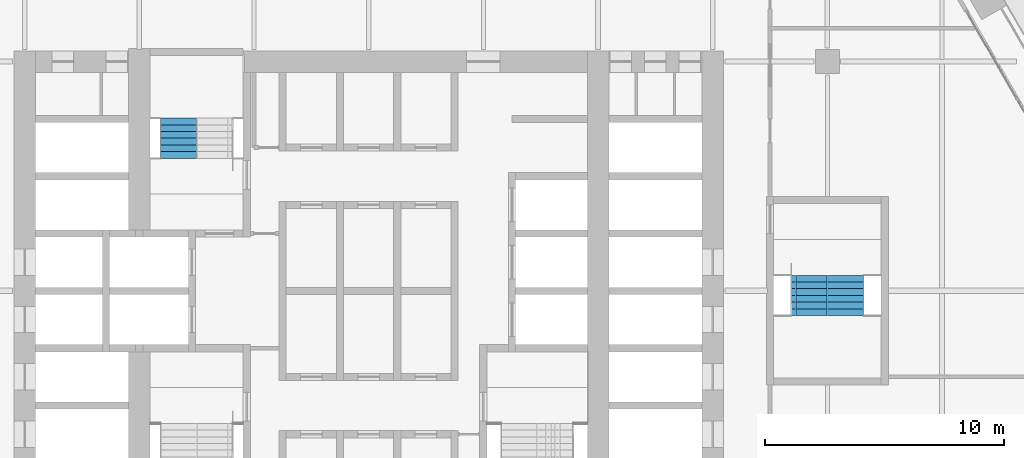
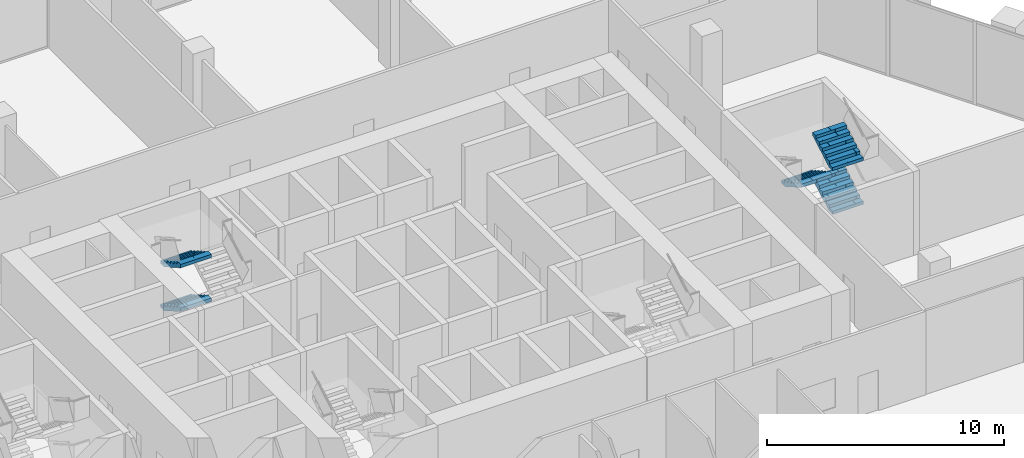
# One storey, part 20 of 23: 5 stair flights, 2 elements without a shape of their own.
"""IFC4 building model written with IfcOpenShell, lengths in metres."""

from ifc_helpers import new_model, si_unit, direction, frame, origin, place, context, subcontext, project, spatial, polyline, outline, extrude, material, type_object, element, aggregate, save


model = new_model("IFC4")

# Units and contexts
model_context = context("Model", 3, precision=1e-05, world=origin(), true_north=direction((0.0, 1.0)))
body_context = subcontext(model_context, "Body", "Model", "MODEL_VIEW")
ifc_project = project(units=[si_unit("LENGTHUNIT", "METRE"), si_unit("AREAUNIT", "SQUARE_METRE"), si_unit("VOLUMEUNIT", "CUBIC_METRE"), si_unit("PLANEANGLEUNIT", "RADIAN"), si_unit("MASSUNIT", "GRAM", prefix="KILO")], contexts=[model_context])

# Site, building, storey
site_placement = place(None, origin())
site = spatial("IfcSite", under=ifc_project, at=site_placement, CompositionType="ELEMENT")
building_placement = place(site_placement, origin())
building = spatial("IfcBuilding", under=site, at=building_placement, Name="Kolab Exchange Tower", CompositionType="ELEMENT")
storey_placement = place(building_placement, frame((0.0, 0.0, 77.89990234375)))
storey = spatial("IfcBuildingStorey", under=building, at=storey_placement, Name="L14", CompositionType="ELEMENT", Elevation=77.89990234375)

# Stair, stair flights
ifc_material = material(Name="Concrete C50/60", Category="concrete")
stair_type_1 = type_object("IfcStairType", Name="STAIR ST1 RISER 160.7", PredefinedType="DOUBLE_RETURN_STAIR", material=ifc_material)
stair_1_placement = place(storey_placement, origin())
stair_1 = element("IfcStair", 1, at=stair_1_placement, inside=storey, type_object=stair_type_1, Name="Stair 1", PredefinedType="DOUBLE_RETURN_STAIR")
stair_flight_type = type_object("IfcStairFlightType", Name="STAIR FLIGHT 1500 RISER 160.7", PredefinedType="STRAIGHT", material=ifc_material)
stair_flight_1_placement = place(storey_placement, frame((-7.9599609375, 7.22998046875, 1.125), z_axis=(0.0, 0.0, 1.0), x_axis=(0.0, -1.0, 0.0)))
stair_flight_1 = element("IfcStairFlight", 2, at=stair_flight_1_placement, type_object=stair_flight_type, Name="ST1 flight 2", NumberOfRisers=7, NumberOfTreads=6, PredefinedType="STRAIGHT", RiserHeight=0.160714286, TreadLength=0.28, context=body_context, shape_type="SweptSolid", body=[
    extrude(outline(polyline([(0.0, 0.0), (0.0, 0.16064453125), (0.280029296875, 0.16064453125), (0.280029296875, 0.321533203125), (0.56005859375, 0.321533203125), (0.56005859375, 0.482177734375), (0.840087890625, 0.482177734375), (0.840087890625, 0.642822265625), (1.1201171875, 0.642822265625), (1.1201171875, 0.803466796875), (1.39990234375, 0.803466796875), (1.39990234375, 0.96435546875), (1.679931640625, 0.96435546875), (1.679931640625, 1.125), (1.679931640625, 0.79150390625), (0.301025390625, 0.0), (0.0, 0.0)])), frame((0.0, 0.75, 0.0), z_axis=(0.0, -1.0, 0.0), x_axis=(1.0, 0.0, 0.0)), (0.0, 0.0, 1.0), 0.185791015625),
    extrude(outline(polyline([(0.0, 0.0), (0.0, 0.16064453125), (0.280029296875, 0.16064453125), (0.280029296875, 0.321533203125), (0.56005859375, 0.321533203125), (0.56005859375, 0.482177734375), (0.840087890625, 0.482177734375), (0.840087890625, 0.642822265625), (1.1201171875, 0.642822265625), (1.1201171875, 0.803466796875), (1.39990234375, 0.803466796875), (1.39990234375, 0.96435546875), (1.679931640625, 0.96435546875), (1.679931640625, 1.125), (1.679931640625, 0.79150390625), (0.301025390625, 0.0), (0.0, 0.0)])), frame((0.0, 0.562255859375, 0.0), z_axis=(0.0, -1.0, 0.0), x_axis=(1.0, 0.0, 0.0)), (0.0, 0.0, 1.0), 0.185791015625),
    extrude(outline(polyline([(0.0, 0.0), (0.0, 0.16064453125), (0.280029296875, 0.16064453125), (0.280029296875, 0.321533203125), (0.56005859375, 0.321533203125), (0.56005859375, 0.482177734375), (0.840087890625, 0.482177734375), (0.840087890625, 0.642822265625), (1.1201171875, 0.642822265625), (1.1201171875, 0.803466796875), (1.39990234375, 0.803466796875), (1.39990234375, 0.96435546875), (1.679931640625, 0.96435546875), (1.679931640625, 1.125), (1.679931640625, 0.79150390625), (0.301025390625, 0.0), (0.0, 0.0)])), frame((0.0, 0.37451171875, 0.0), z_axis=(0.0, -1.0, 0.0), x_axis=(1.0, 0.0, 0.0)), (0.0, 0.0, 1.0), 0.185791015625),
    extrude(outline(polyline([(0.0, 0.0), (0.0, 0.16064453125), (0.280029296875, 0.16064453125), (0.280029296875, 0.321533203125), (0.56005859375, 0.321533203125), (0.56005859375, 0.482177734375), (0.840087890625, 0.482177734375), (0.840087890625, 0.642822265625), (1.1201171875, 0.642822265625), (1.1201171875, 0.803466796875), (1.39990234375, 0.803466796875), (1.39990234375, 0.96435546875), (1.679931640625, 0.96435546875), (1.679931640625, 1.125), (1.679931640625, 0.79150390625), (0.301025390625, 0.0), (0.0, 0.0)])), frame((0.0, 0.186767578125, 0.0), z_axis=(0.0, -1.0, 0.0), x_axis=(1.0, 0.0, 0.0)), (0.0, 0.0, 1.0), 0.185791015625),
    extrude(outline(polyline([(0.0, 0.0), (0.0, 0.16064453125), (0.280029296875, 0.16064453125), (0.280029296875, 0.321533203125), (0.56005859375, 0.321533203125), (0.56005859375, 0.482177734375), (0.840087890625, 0.482177734375), (0.840087890625, 0.642822265625), (1.1201171875, 0.642822265625), (1.1201171875, 0.803466796875), (1.39990234375, 0.803466796875), (1.39990234375, 0.96435546875), (1.679931640625, 0.96435546875), (1.679931640625, 1.125), (1.679931640625, 0.79150390625), (0.301025390625, 0.0), (0.0, 0.0)])), frame((0.0, -0.0009765625, 0.0), z_axis=(0.0, -1.0, 0.0), x_axis=(1.0, 0.0, 0.0)), (0.0, 0.0, 1.0), 0.185791015625),
    extrude(outline(polyline([(0.0, 0.0), (0.0, 0.16064453125), (0.280029296875, 0.16064453125), (0.280029296875, 0.321533203125), (0.56005859375, 0.321533203125), (0.56005859375, 0.482177734375), (0.840087890625, 0.482177734375), (0.840087890625, 0.642822265625), (1.1201171875, 0.642822265625), (1.1201171875, 0.803466796875), (1.39990234375, 0.803466796875), (1.39990234375, 0.96435546875), (1.679931640625, 0.96435546875), (1.679931640625, 1.125), (1.679931640625, 0.79150390625), (0.301025390625, 0.0), (0.0, 0.0)])), frame((0.0, -0.188720703125, 0.0), z_axis=(0.0, -1.0, 0.0), x_axis=(1.0, 0.0, 0.0)), (0.0, 0.0, 1.0), 0.185791015625),
    extrude(outline(polyline([(0.0, 0.0), (0.0, 0.16064453125), (0.280029296875, 0.16064453125), (0.280029296875, 0.321533203125), (0.56005859375, 0.321533203125), (0.56005859375, 0.482177734375), (0.840087890625, 0.482177734375), (0.840087890625, 0.642822265625), (1.1201171875, 0.642822265625), (1.1201171875, 0.803466796875), (1.39990234375, 0.803466796875), (1.39990234375, 0.96435546875), (1.679931640625, 0.96435546875), (1.679931640625, 1.125), (1.679931640625, 0.79150390625), (0.301025390625, 0.0), (0.0, 0.0)])), frame((0.0, -0.37646484375, 0.0), z_axis=(0.0, -1.0, 0.0), x_axis=(1.0, 0.0, 0.0)), (0.0, 0.0, 1.0), 0.185791015625),
    extrude(outline(polyline([(0.0, 0.0), (0.0, 0.16064453125), (0.280029296875, 0.16064453125), (0.280029296875, 0.321533203125), (0.56005859375, 0.321533203125), (0.56005859375, 0.482177734375), (0.840087890625, 0.482177734375), (0.840087890625, 0.642822265625), (1.1201171875, 0.642822265625), (1.1201171875, 0.803466796875), (1.39990234375, 0.803466796875), (1.39990234375, 0.96435546875), (1.679931640625, 0.96435546875), (1.679931640625, 1.125), (1.679931640625, 0.79150390625), (0.301025390625, 0.0), (0.0, 0.0)])), frame((0.0, -0.564208984375, 0.0), z_axis=(0.0, -1.0, 0.0), x_axis=(1.0, 0.0, 0.0)), (0.0, 0.0, 1.0), 0.185791015625),
])
stair_flight_2_placement = place(storey_placement, frame((-7.9599609375, 7.22998046875, 3.375), z_axis=(0.0, 0.0, 1.0), x_axis=(0.0, -1.0, 0.0)))
stair_flight_2 = element("IfcStairFlight", 3, at=stair_flight_2_placement, type_object=stair_flight_type, Name="ST1 flight 4", NumberOfRisers=7, NumberOfTreads=6, PredefinedType="STRAIGHT", RiserHeight=0.160714286, TreadLength=0.28, context=body_context, shape_type="SweptSolid", body=[
    extrude(outline(polyline([(0.0, 0.0), (0.0, 0.16064453125), (0.280029296875, 0.16064453125), (0.280029296875, 0.321533203125), (0.56005859375, 0.321533203125), (0.56005859375, 0.482177734375), (0.840087890625, 0.482177734375), (0.840087890625, 0.642822265625), (1.1201171875, 0.642822265625), (1.1201171875, 0.803466796875), (1.39990234375, 0.803466796875), (1.39990234375, 0.96435546875), (1.679931640625, 0.96435546875), (1.679931640625, 1.125), (1.679931640625, 0.79150390625), (0.301025390625, 0.0), (0.0, 0.0)])), frame((0.0, 0.75, 0.0), z_axis=(0.0, -1.0, 0.0), x_axis=(1.0, 0.0, 0.0)), (0.0, 0.0, 1.0), 0.185791015625),
    extrude(outline(polyline([(0.0, 0.0), (0.0, 0.16064453125), (0.280029296875, 0.16064453125), (0.280029296875, 0.321533203125), (0.56005859375, 0.321533203125), (0.56005859375, 0.482177734375), (0.840087890625, 0.482177734375), (0.840087890625, 0.642822265625), (1.1201171875, 0.642822265625), (1.1201171875, 0.803466796875), (1.39990234375, 0.803466796875), (1.39990234375, 0.96435546875), (1.679931640625, 0.96435546875), (1.679931640625, 1.125), (1.679931640625, 0.79150390625), (0.301025390625, 0.0), (0.0, 0.0)])), frame((0.0, 0.562255859375, 0.0), z_axis=(0.0, -1.0, 0.0), x_axis=(1.0, 0.0, 0.0)), (0.0, 0.0, 1.0), 0.185791015625),
    extrude(outline(polyline([(0.0, 0.0), (0.0, 0.16064453125), (0.280029296875, 0.16064453125), (0.280029296875, 0.321533203125), (0.56005859375, 0.321533203125), (0.56005859375, 0.482177734375), (0.840087890625, 0.482177734375), (0.840087890625, 0.642822265625), (1.1201171875, 0.642822265625), (1.1201171875, 0.803466796875), (1.39990234375, 0.803466796875), (1.39990234375, 0.96435546875), (1.679931640625, 0.96435546875), (1.679931640625, 1.125), (1.679931640625, 0.79150390625), (0.301025390625, 0.0), (0.0, 0.0)])), frame((0.0, 0.37451171875, 0.0), z_axis=(0.0, -1.0, 0.0), x_axis=(1.0, 0.0, 0.0)), (0.0, 0.0, 1.0), 0.185791015625),
    extrude(outline(polyline([(0.0, 0.0), (0.0, 0.16064453125), (0.280029296875, 0.16064453125), (0.280029296875, 0.321533203125), (0.56005859375, 0.321533203125), (0.56005859375, 0.482177734375), (0.840087890625, 0.482177734375), (0.840087890625, 0.642822265625), (1.1201171875, 0.642822265625), (1.1201171875, 0.803466796875), (1.39990234375, 0.803466796875), (1.39990234375, 0.96435546875), (1.679931640625, 0.96435546875), (1.679931640625, 1.125), (1.679931640625, 0.79150390625), (0.301025390625, 0.0), (0.0, 0.0)])), frame((0.0, 0.186767578125, 0.0), z_axis=(0.0, -1.0, 0.0), x_axis=(1.0, 0.0, 0.0)), (0.0, 0.0, 1.0), 0.185791015625),
    extrude(outline(polyline([(0.0, 0.0), (0.0, 0.16064453125), (0.280029296875, 0.16064453125), (0.280029296875, 0.321533203125), (0.56005859375, 0.321533203125), (0.56005859375, 0.482177734375), (0.840087890625, 0.482177734375), (0.840087890625, 0.642822265625), (1.1201171875, 0.642822265625), (1.1201171875, 0.803466796875), (1.39990234375, 0.803466796875), (1.39990234375, 0.96435546875), (1.679931640625, 0.96435546875), (1.679931640625, 1.125), (1.679931640625, 0.79150390625), (0.301025390625, 0.0), (0.0, 0.0)])), frame((0.0, -0.0009765625, 0.0), z_axis=(0.0, -1.0, 0.0), x_axis=(1.0, 0.0, 0.0)), (0.0, 0.0, 1.0), 0.185791015625),
    extrude(outline(polyline([(0.0, 0.0), (0.0, 0.16064453125), (0.280029296875, 0.16064453125), (0.280029296875, 0.321533203125), (0.56005859375, 0.321533203125), (0.56005859375, 0.482177734375), (0.840087890625, 0.482177734375), (0.840087890625, 0.642822265625), (1.1201171875, 0.642822265625), (1.1201171875, 0.803466796875), (1.39990234375, 0.803466796875), (1.39990234375, 0.96435546875), (1.679931640625, 0.96435546875), (1.679931640625, 1.125), (1.679931640625, 0.79150390625), (0.301025390625, 0.0), (0.0, 0.0)])), frame((0.0, -0.188720703125, 0.0), z_axis=(0.0, -1.0, 0.0), x_axis=(1.0, 0.0, 0.0)), (0.0, 0.0, 1.0), 0.185791015625),
    extrude(outline(polyline([(0.0, 0.0), (0.0, 0.16064453125), (0.280029296875, 0.16064453125), (0.280029296875, 0.321533203125), (0.56005859375, 0.321533203125), (0.56005859375, 0.482177734375), (0.840087890625, 0.482177734375), (0.840087890625, 0.642822265625), (1.1201171875, 0.642822265625), (1.1201171875, 0.803466796875), (1.39990234375, 0.803466796875), (1.39990234375, 0.96435546875), (1.679931640625, 0.96435546875), (1.679931640625, 1.125), (1.679931640625, 0.79150390625), (0.301025390625, 0.0), (0.0, 0.0)])), frame((0.0, -0.37646484375, 0.0), z_axis=(0.0, -1.0, 0.0), x_axis=(1.0, 0.0, 0.0)), (0.0, 0.0, 1.0), 0.185791015625),
    extrude(outline(polyline([(0.0, 0.0), (0.0, 0.16064453125), (0.280029296875, 0.16064453125), (0.280029296875, 0.321533203125), (0.56005859375, 0.321533203125), (0.56005859375, 0.482177734375), (0.840087890625, 0.482177734375), (0.840087890625, 0.642822265625), (1.1201171875, 0.642822265625), (1.1201171875, 0.803466796875), (1.39990234375, 0.803466796875), (1.39990234375, 0.96435546875), (1.679931640625, 0.96435546875), (1.679931640625, 1.125), (1.679931640625, 0.79150390625), (0.301025390625, 0.0), (0.0, 0.0)])), frame((0.0, -0.564208984375, 0.0), z_axis=(0.0, -1.0, 0.0), x_axis=(1.0, 0.0, 0.0)), (0.0, 0.0, 1.0), 0.185791015625),
])
aggregate(stair_1, [stair_flight_1, stair_flight_2])

stair_type_2 = type_object("IfcStairType", Name="STAIR ST4 RISER 160.7", PredefinedType="DOUBLE_RETURN_STAIR", material=ifc_material)
stair_2_placement = place(storey_placement, origin())
stair_2 = element("IfcStair", 4, at=stair_2_placement, inside=storey, type_object=stair_type_2, Name="Stair 4", PredefinedType="DOUBLE_RETURN_STAIR")
stair_flight_3_placement = place(storey_placement, frame((19.9599609375, -1.030029296875, 1.125), z_axis=(0.0, 0.0, 1.0), x_axis=(0.0, 1.0, 0.0)))
stair_flight_3 = element("IfcStairFlight", 5, at=stair_flight_3_placement, type_object=stair_flight_type, Name="ST4 flight 2", NumberOfRisers=7, NumberOfTreads=6, PredefinedType="STRAIGHT", RiserHeight=0.160714286, TreadLength=0.28, context=body_context, shape_type="SweptSolid", body=[
    extrude(outline(polyline([(0.0, 0.0), (0.0, 0.16064453125), (0.280029296875, 0.16064453125), (0.280029296875, 0.321533203125), (0.56005859375, 0.321533203125), (0.56005859375, 0.482177734375), (0.840087890625, 0.482177734375), (0.840087890625, 0.642822265625), (1.1201171875, 0.642822265625), (1.1201171875, 0.803466796875), (1.39990234375, 0.803466796875), (1.39990234375, 0.96435546875), (1.679931640625, 0.96435546875), (1.679931640625, 1.125), (1.679931640625, 0.79150390625), (0.301025390625, 0.0), (0.0, 0.0)])), frame((0.0, 0.75, 0.0), z_axis=(0.0, -1.0, 0.0), x_axis=(1.0, 0.0, 0.0)), (0.0, 0.0, 1.0), 0.185791015625),
    extrude(outline(polyline([(0.0, 0.0), (0.0, 0.16064453125), (0.280029296875, 0.16064453125), (0.280029296875, 0.321533203125), (0.56005859375, 0.321533203125), (0.56005859375, 0.482177734375), (0.840087890625, 0.482177734375), (0.840087890625, 0.642822265625), (1.1201171875, 0.642822265625), (1.1201171875, 0.803466796875), (1.39990234375, 0.803466796875), (1.39990234375, 0.96435546875), (1.679931640625, 0.96435546875), (1.679931640625, 1.125), (1.679931640625, 0.79150390625), (0.301025390625, 0.0), (0.0, 0.0)])), frame((0.0, 0.562255859375, 0.0), z_axis=(0.0, -1.0, 0.0), x_axis=(1.0, 0.0, 0.0)), (0.0, 0.0, 1.0), 0.185791015625),
    extrude(outline(polyline([(0.0, 0.0), (0.0, 0.16064453125), (0.280029296875, 0.16064453125), (0.280029296875, 0.321533203125), (0.56005859375, 0.321533203125), (0.56005859375, 0.482177734375), (0.840087890625, 0.482177734375), (0.840087890625, 0.642822265625), (1.1201171875, 0.642822265625), (1.1201171875, 0.803466796875), (1.39990234375, 0.803466796875), (1.39990234375, 0.96435546875), (1.679931640625, 0.96435546875), (1.679931640625, 1.125), (1.679931640625, 0.79150390625), (0.301025390625, 0.0), (0.0, 0.0)])), frame((0.0, 0.37451171875, 0.0), z_axis=(0.0, -1.0, 0.0), x_axis=(1.0, 0.0, 0.0)), (0.0, 0.0, 1.0), 0.185791015625),
    extrude(outline(polyline([(0.0, 0.0), (0.0, 0.16064453125), (0.280029296875, 0.16064453125), (0.280029296875, 0.321533203125), (0.56005859375, 0.321533203125), (0.56005859375, 0.482177734375), (0.840087890625, 0.482177734375), (0.840087890625, 0.642822265625), (1.1201171875, 0.642822265625), (1.1201171875, 0.803466796875), (1.39990234375, 0.803466796875), (1.39990234375, 0.96435546875), (1.679931640625, 0.96435546875), (1.679931640625, 1.125), (1.679931640625, 0.79150390625), (0.301025390625, 0.0), (0.0, 0.0)])), frame((0.0, 0.186767578125, 0.0), z_axis=(0.0, -1.0, 0.0), x_axis=(1.0, 0.0, 0.0)), (0.0, 0.0, 1.0), 0.185791015625),
    extrude(outline(polyline([(0.0, 0.0), (0.0, 0.16064453125), (0.280029296875, 0.16064453125), (0.280029296875, 0.321533203125), (0.56005859375, 0.321533203125), (0.56005859375, 0.482177734375), (0.840087890625, 0.482177734375), (0.840087890625, 0.642822265625), (1.1201171875, 0.642822265625), (1.1201171875, 0.803466796875), (1.39990234375, 0.803466796875), (1.39990234375, 0.96435546875), (1.679931640625, 0.96435546875), (1.679931640625, 1.125), (1.679931640625, 0.79150390625), (0.301025390625, 0.0), (0.0, 0.0)])), frame((0.0, -0.0009765625, 0.0), z_axis=(0.0, -1.0, 0.0), x_axis=(1.0, 0.0, 0.0)), (0.0, 0.0, 1.0), 0.185791015625),
    extrude(outline(polyline([(0.0, 0.0), (0.0, 0.16064453125), (0.280029296875, 0.16064453125), (0.280029296875, 0.321533203125), (0.56005859375, 0.321533203125), (0.56005859375, 0.482177734375), (0.840087890625, 0.482177734375), (0.840087890625, 0.642822265625), (1.1201171875, 0.642822265625), (1.1201171875, 0.803466796875), (1.39990234375, 0.803466796875), (1.39990234375, 0.96435546875), (1.679931640625, 0.96435546875), (1.679931640625, 1.125), (1.679931640625, 0.79150390625), (0.301025390625, 0.0), (0.0, 0.0)])), frame((0.0, -0.188720703125, 0.0), z_axis=(0.0, -1.0, 0.0), x_axis=(1.0, 0.0, 0.0)), (0.0, 0.0, 1.0), 0.185791015625),
    extrude(outline(polyline([(0.0, 0.0), (0.0, 0.16064453125), (0.280029296875, 0.16064453125), (0.280029296875, 0.321533203125), (0.56005859375, 0.321533203125), (0.56005859375, 0.482177734375), (0.840087890625, 0.482177734375), (0.840087890625, 0.642822265625), (1.1201171875, 0.642822265625), (1.1201171875, 0.803466796875), (1.39990234375, 0.803466796875), (1.39990234375, 0.96435546875), (1.679931640625, 0.96435546875), (1.679931640625, 1.125), (1.679931640625, 0.79150390625), (0.301025390625, 0.0), (0.0, 0.0)])), frame((0.0, -0.37646484375, 0.0), z_axis=(0.0, -1.0, 0.0), x_axis=(1.0, 0.0, 0.0)), (0.0, 0.0, 1.0), 0.185791015625),
    extrude(outline(polyline([(0.0, 0.0), (0.0, 0.16064453125), (0.280029296875, 0.16064453125), (0.280029296875, 0.321533203125), (0.56005859375, 0.321533203125), (0.56005859375, 0.482177734375), (0.840087890625, 0.482177734375), (0.840087890625, 0.642822265625), (1.1201171875, 0.642822265625), (1.1201171875, 0.803466796875), (1.39990234375, 0.803466796875), (1.39990234375, 0.96435546875), (1.679931640625, 0.96435546875), (1.679931640625, 1.125), (1.679931640625, 0.79150390625), (0.301025390625, 0.0), (0.0, 0.0)])), frame((0.0, -0.564208984375, 0.0), z_axis=(0.0, -1.0, 0.0), x_axis=(1.0, 0.0, 0.0)), (0.0, 0.0, 1.0), 0.185791015625),
])
stair_flight_4_placement = place(storey_placement, frame((18.43994140625, 0.64990234375, 2.25), z_axis=(0.0, 0.0, 1.0), x_axis=(0.0, -1.0, 0.0)))
stair_flight_4 = element("IfcStairFlight", 6, at=stair_flight_4_placement, type_object=stair_flight_type, Name="ST4 flight 3", NumberOfRisers=7, NumberOfTreads=6, PredefinedType="STRAIGHT", RiserHeight=0.160714286, TreadLength=0.28, context=body_context, shape_type="SweptSolid", body=[
    extrude(outline(polyline([(0.0, 0.0), (0.0, 0.16064453125), (0.280029296875, 0.16064453125), (0.280029296875, 0.321533203125), (0.56005859375, 0.321533203125), (0.56005859375, 0.482177734375), (0.840087890625, 0.482177734375), (0.840087890625, 0.642822265625), (1.1201171875, 0.642822265625), (1.1201171875, 0.803466796875), (1.39990234375, 0.803466796875), (1.39990234375, 0.96435546875), (1.679931640625, 0.96435546875), (1.679931640625, 1.125), (1.679931640625, 0.79150390625), (0.301025390625, 0.0), (0.0, 0.0)])), frame((0.0, 0.75, 0.0), z_axis=(0.0, -1.0, 0.0), x_axis=(1.0, 0.0, 0.0)), (0.0, 0.0, 1.0), 0.185791015625),
    extrude(outline(polyline([(0.0, 0.0), (0.0, 0.16064453125), (0.280029296875, 0.16064453125), (0.280029296875, 0.321533203125), (0.56005859375, 0.321533203125), (0.56005859375, 0.482177734375), (0.840087890625, 0.482177734375), (0.840087890625, 0.642822265625), (1.1201171875, 0.642822265625), (1.1201171875, 0.803466796875), (1.39990234375, 0.803466796875), (1.39990234375, 0.96435546875), (1.679931640625, 0.96435546875), (1.679931640625, 1.125), (1.679931640625, 0.79150390625), (0.301025390625, 0.0), (0.0, 0.0)])), frame((0.0, 0.562255859375, 0.0), z_axis=(0.0, -1.0, 0.0), x_axis=(1.0, 0.0, 0.0)), (0.0, 0.0, 1.0), 0.185791015625),
    extrude(outline(polyline([(0.0, 0.0), (0.0, 0.16064453125), (0.280029296875, 0.16064453125), (0.280029296875, 0.321533203125), (0.56005859375, 0.321533203125), (0.56005859375, 0.482177734375), (0.840087890625, 0.482177734375), (0.840087890625, 0.642822265625), (1.1201171875, 0.642822265625), (1.1201171875, 0.803466796875), (1.39990234375, 0.803466796875), (1.39990234375, 0.96435546875), (1.679931640625, 0.96435546875), (1.679931640625, 1.125), (1.679931640625, 0.79150390625), (0.301025390625, 0.0), (0.0, 0.0)])), frame((0.0, 0.37451171875, 0.0), z_axis=(0.0, -1.0, 0.0), x_axis=(1.0, 0.0, 0.0)), (0.0, 0.0, 1.0), 0.185791015625),
    extrude(outline(polyline([(0.0, 0.0), (0.0, 0.16064453125), (0.280029296875, 0.16064453125), (0.280029296875, 0.321533203125), (0.56005859375, 0.321533203125), (0.56005859375, 0.482177734375), (0.840087890625, 0.482177734375), (0.840087890625, 0.642822265625), (1.1201171875, 0.642822265625), (1.1201171875, 0.803466796875), (1.39990234375, 0.803466796875), (1.39990234375, 0.96435546875), (1.679931640625, 0.96435546875), (1.679931640625, 1.125), (1.679931640625, 0.79150390625), (0.301025390625, 0.0), (0.0, 0.0)])), frame((0.0, 0.186767578125, 0.0), z_axis=(0.0, -1.0, 0.0), x_axis=(1.0, 0.0, 0.0)), (0.0, 0.0, 1.0), 0.185791015625),
    extrude(outline(polyline([(0.0, 0.0), (0.0, 0.16064453125), (0.280029296875, 0.16064453125), (0.280029296875, 0.321533203125), (0.56005859375, 0.321533203125), (0.56005859375, 0.482177734375), (0.840087890625, 0.482177734375), (0.840087890625, 0.642822265625), (1.1201171875, 0.642822265625), (1.1201171875, 0.803466796875), (1.39990234375, 0.803466796875), (1.39990234375, 0.96435546875), (1.679931640625, 0.96435546875), (1.679931640625, 1.125), (1.679931640625, 0.79150390625), (0.301025390625, 0.0), (0.0, 0.0)])), frame((0.0, -0.0009765625, 0.0), z_axis=(0.0, -1.0, 0.0), x_axis=(1.0, 0.0, 0.0)), (0.0, 0.0, 1.0), 0.185791015625),
    extrude(outline(polyline([(0.0, 0.0), (0.0, 0.16064453125), (0.280029296875, 0.16064453125), (0.280029296875, 0.321533203125), (0.56005859375, 0.321533203125), (0.56005859375, 0.482177734375), (0.840087890625, 0.482177734375), (0.840087890625, 0.642822265625), (1.1201171875, 0.642822265625), (1.1201171875, 0.803466796875), (1.39990234375, 0.803466796875), (1.39990234375, 0.96435546875), (1.679931640625, 0.96435546875), (1.679931640625, 1.125), (1.679931640625, 0.79150390625), (0.301025390625, 0.0), (0.0, 0.0)])), frame((0.0, -0.188720703125, 0.0), z_axis=(0.0, -1.0, 0.0), x_axis=(1.0, 0.0, 0.0)), (0.0, 0.0, 1.0), 0.185791015625),
    extrude(outline(polyline([(0.0, 0.0), (0.0, 0.16064453125), (0.280029296875, 0.16064453125), (0.280029296875, 0.321533203125), (0.56005859375, 0.321533203125), (0.56005859375, 0.482177734375), (0.840087890625, 0.482177734375), (0.840087890625, 0.642822265625), (1.1201171875, 0.642822265625), (1.1201171875, 0.803466796875), (1.39990234375, 0.803466796875), (1.39990234375, 0.96435546875), (1.679931640625, 0.96435546875), (1.679931640625, 1.125), (1.679931640625, 0.79150390625), (0.301025390625, 0.0), (0.0, 0.0)])), frame((0.0, -0.37646484375, 0.0), z_axis=(0.0, -1.0, 0.0), x_axis=(1.0, 0.0, 0.0)), (0.0, 0.0, 1.0), 0.185791015625),
    extrude(outline(polyline([(0.0, 0.0), (0.0, 0.16064453125), (0.280029296875, 0.16064453125), (0.280029296875, 0.321533203125), (0.56005859375, 0.321533203125), (0.56005859375, 0.482177734375), (0.840087890625, 0.482177734375), (0.840087890625, 0.642822265625), (1.1201171875, 0.642822265625), (1.1201171875, 0.803466796875), (1.39990234375, 0.803466796875), (1.39990234375, 0.96435546875), (1.679931640625, 0.96435546875), (1.679931640625, 1.125), (1.679931640625, 0.79150390625), (0.301025390625, 0.0), (0.0, 0.0)])), frame((0.0, -0.564208984375, 0.0), z_axis=(0.0, -1.0, 0.0), x_axis=(1.0, 0.0, 0.0)), (0.0, 0.0, 1.0), 0.185791015625),
])
stair_flight_5_placement = place(storey_placement, frame((19.9599609375, -1.030029296875, 3.375), z_axis=(0.0, 0.0, 1.0), x_axis=(0.0, 1.0, 0.0)))
stair_flight_5 = element("IfcStairFlight", 7, at=stair_flight_5_placement, type_object=stair_flight_type, Name="ST4 flight 4", NumberOfRisers=7, NumberOfTreads=6, PredefinedType="STRAIGHT", RiserHeight=0.160714286, TreadLength=0.28, context=body_context, shape_type="SweptSolid", body=[
    extrude(outline(polyline([(0.0, 0.0), (0.0, 0.16064453125), (0.280029296875, 0.16064453125), (0.280029296875, 0.321533203125), (0.56005859375, 0.321533203125), (0.56005859375, 0.482177734375), (0.840087890625, 0.482177734375), (0.840087890625, 0.642822265625), (1.1201171875, 0.642822265625), (1.1201171875, 0.803466796875), (1.39990234375, 0.803466796875), (1.39990234375, 0.96435546875), (1.679931640625, 0.96435546875), (1.679931640625, 1.125), (1.679931640625, 0.79150390625), (0.301025390625, 0.0), (0.0, 0.0)])), frame((0.0, 0.75, 0.0), z_axis=(0.0, -1.0, 0.0), x_axis=(1.0, 0.0, 0.0)), (0.0, 0.0, 1.0), 0.185791015625),
    extrude(outline(polyline([(0.0, 0.0), (0.0, 0.16064453125), (0.280029296875, 0.16064453125), (0.280029296875, 0.321533203125), (0.56005859375, 0.321533203125), (0.56005859375, 0.482177734375), (0.840087890625, 0.482177734375), (0.840087890625, 0.642822265625), (1.1201171875, 0.642822265625), (1.1201171875, 0.803466796875), (1.39990234375, 0.803466796875), (1.39990234375, 0.96435546875), (1.679931640625, 0.96435546875), (1.679931640625, 1.125), (1.679931640625, 0.79150390625), (0.301025390625, 0.0), (0.0, 0.0)])), frame((0.0, 0.562255859375, 0.0), z_axis=(0.0, -1.0, 0.0), x_axis=(1.0, 0.0, 0.0)), (0.0, 0.0, 1.0), 0.185791015625),
    extrude(outline(polyline([(0.0, 0.0), (0.0, 0.16064453125), (0.280029296875, 0.16064453125), (0.280029296875, 0.321533203125), (0.56005859375, 0.321533203125), (0.56005859375, 0.482177734375), (0.840087890625, 0.482177734375), (0.840087890625, 0.642822265625), (1.1201171875, 0.642822265625), (1.1201171875, 0.803466796875), (1.39990234375, 0.803466796875), (1.39990234375, 0.96435546875), (1.679931640625, 0.96435546875), (1.679931640625, 1.125), (1.679931640625, 0.79150390625), (0.301025390625, 0.0), (0.0, 0.0)])), frame((0.0, 0.37451171875, 0.0), z_axis=(0.0, -1.0, 0.0), x_axis=(1.0, 0.0, 0.0)), (0.0, 0.0, 1.0), 0.185791015625),
    extrude(outline(polyline([(0.0, 0.0), (0.0, 0.16064453125), (0.280029296875, 0.16064453125), (0.280029296875, 0.321533203125), (0.56005859375, 0.321533203125), (0.56005859375, 0.482177734375), (0.840087890625, 0.482177734375), (0.840087890625, 0.642822265625), (1.1201171875, 0.642822265625), (1.1201171875, 0.803466796875), (1.39990234375, 0.803466796875), (1.39990234375, 0.96435546875), (1.679931640625, 0.96435546875), (1.679931640625, 1.125), (1.679931640625, 0.79150390625), (0.301025390625, 0.0), (0.0, 0.0)])), frame((0.0, 0.186767578125, 0.0), z_axis=(0.0, -1.0, 0.0), x_axis=(1.0, 0.0, 0.0)), (0.0, 0.0, 1.0), 0.185791015625),
    extrude(outline(polyline([(0.0, 0.0), (0.0, 0.16064453125), (0.280029296875, 0.16064453125), (0.280029296875, 0.321533203125), (0.56005859375, 0.321533203125), (0.56005859375, 0.482177734375), (0.840087890625, 0.482177734375), (0.840087890625, 0.642822265625), (1.1201171875, 0.642822265625), (1.1201171875, 0.803466796875), (1.39990234375, 0.803466796875), (1.39990234375, 0.96435546875), (1.679931640625, 0.96435546875), (1.679931640625, 1.125), (1.679931640625, 0.79150390625), (0.301025390625, 0.0), (0.0, 0.0)])), frame((0.0, -0.0009765625, 0.0), z_axis=(0.0, -1.0, 0.0), x_axis=(1.0, 0.0, 0.0)), (0.0, 0.0, 1.0), 0.185791015625),
    extrude(outline(polyline([(0.0, 0.0), (0.0, 0.16064453125), (0.280029296875, 0.16064453125), (0.280029296875, 0.321533203125), (0.56005859375, 0.321533203125), (0.56005859375, 0.482177734375), (0.840087890625, 0.482177734375), (0.840087890625, 0.642822265625), (1.1201171875, 0.642822265625), (1.1201171875, 0.803466796875), (1.39990234375, 0.803466796875), (1.39990234375, 0.96435546875), (1.679931640625, 0.96435546875), (1.679931640625, 1.125), (1.679931640625, 0.79150390625), (0.301025390625, 0.0), (0.0, 0.0)])), frame((0.0, -0.188720703125, 0.0), z_axis=(0.0, -1.0, 0.0), x_axis=(1.0, 0.0, 0.0)), (0.0, 0.0, 1.0), 0.185791015625),
    extrude(outline(polyline([(0.0, 0.0), (0.0, 0.16064453125), (0.280029296875, 0.16064453125), (0.280029296875, 0.321533203125), (0.56005859375, 0.321533203125), (0.56005859375, 0.482177734375), (0.840087890625, 0.482177734375), (0.840087890625, 0.642822265625), (1.1201171875, 0.642822265625), (1.1201171875, 0.803466796875), (1.39990234375, 0.803466796875), (1.39990234375, 0.96435546875), (1.679931640625, 0.96435546875), (1.679931640625, 1.125), (1.679931640625, 0.79150390625), (0.301025390625, 0.0), (0.0, 0.0)])), frame((0.0, -0.37646484375, 0.0), z_axis=(0.0, -1.0, 0.0), x_axis=(1.0, 0.0, 0.0)), (0.0, 0.0, 1.0), 0.185791015625),
    extrude(outline(polyline([(0.0, 0.0), (0.0, 0.16064453125), (0.280029296875, 0.16064453125), (0.280029296875, 0.321533203125), (0.56005859375, 0.321533203125), (0.56005859375, 0.482177734375), (0.840087890625, 0.482177734375), (0.840087890625, 0.642822265625), (1.1201171875, 0.642822265625), (1.1201171875, 0.803466796875), (1.39990234375, 0.803466796875), (1.39990234375, 0.96435546875), (1.679931640625, 0.96435546875), (1.679931640625, 1.125), (1.679931640625, 0.79150390625), (0.301025390625, 0.0), (0.0, 0.0)])), frame((0.0, -0.564208984375, 0.0), z_axis=(0.0, -1.0, 0.0), x_axis=(1.0, 0.0, 0.0)), (0.0, 0.0, 1.0), 0.185791015625),
])
aggregate(stair_2, [stair_flight_3, stair_flight_4, stair_flight_5])

save(model, "model.ifc")
